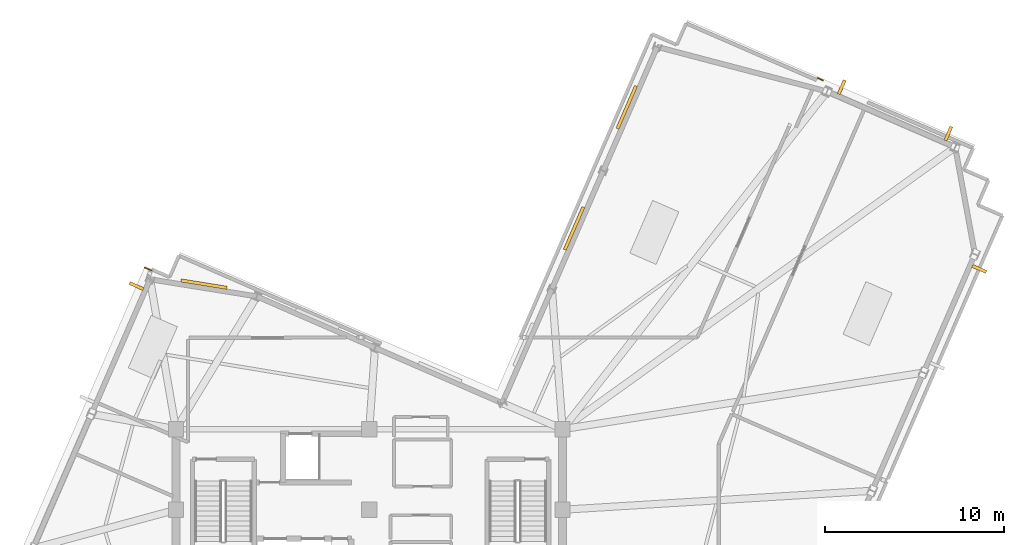
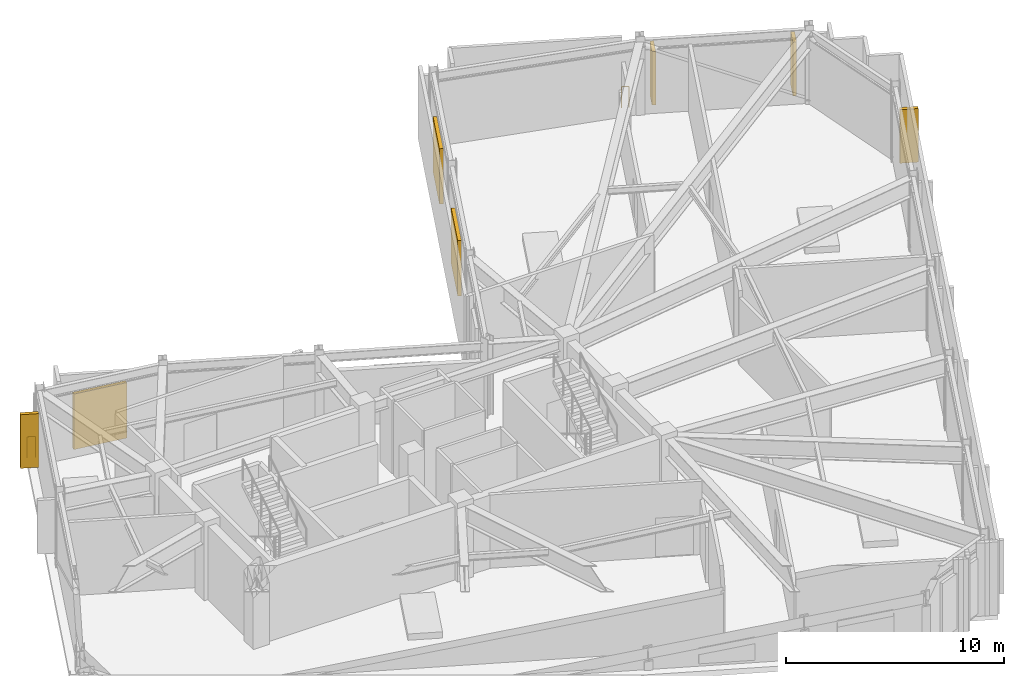
# One storey, part 11 of 11: 7 shading devices, 2 railings.
"""IFC4 building model written with IfcOpenShell, lengths in metres."""

from ifc_helpers import new_model, si_unit, direction, frame, origin, origin_2d, place, context, subcontext, project, spatial, rectangle, circle, extrude, material, layer, layer_set, type_object, element, save


model = new_model("IFC4")

# Units and contexts
model_context = context("Model", 3, precision=1e-05, world=origin(), true_north=direction((0.0, 1.0)))
body_context = subcontext(model_context, "Body", "Model", "MODEL_VIEW")
ifc_project = project(units=[si_unit("LENGTHUNIT", "METRE"), si_unit("AREAUNIT", "SQUARE_METRE"), si_unit("VOLUMEUNIT", "CUBIC_METRE"), si_unit("PLANEANGLEUNIT", "RADIAN"), si_unit("MASSUNIT", "GRAM", prefix="KILO")], contexts=[model_context])

# Site, building, storey
site_placement = place(None, origin())
site = spatial("IfcSite", under=ifc_project, at=site_placement, CompositionType="ELEMENT")
building_placement = place(site_placement, origin())
building = spatial("IfcBuilding", under=site, at=building_placement, Name="Gaonmaruhae Medical Tower", CompositionType="ELEMENT")
storey_placement = place(building_placement, frame((0.0, 0.0, 338.199951171875)))
storey = spatial("IfcBuildingStorey", under=building, at=storey_placement, Name="L81", CompositionType="ELEMENT", Elevation=338.199951171875)

# Railings
ifc_material_1 = material(Name="Stainless steel 316L and laminated safety glass", Category="steel")
ifc_layer = layer(ifc_material_1, 0.080078125)
ifc_layer_set = layer_set([ifc_layer], Name="Stainless steel 316L and laminated safety glass")
railing_type = type_object("IfcRailingType", Name="GD-120 Outdoor Terrace Safety Glass & Steel Balustrade", PredefinedType="BALUSTRADE", material=ifc_layer_set)
railing_1_placement = place(storey_placement, frame((50.146240234375, 36.284912109375, 0.0)))
element("IfcRailing", 1, at=railing_1_placement, inside=storey, type_object=railing_type, Name="L81 Perimeter Slab Edge Safety Balustrade 01", PredefinedType="BALUSTRADE", context=body_context, shape_type="SweptSolid", body=[
    extrude(circle(Radius=0.02392578125, at=origin_2d()), frame((0.0, 0.0, 1.17578125), z_axis=(-0.917081518132, 0.398699748056, 0.0), x_axis=(-0.398699748056, -0.917081518132, 0.0)), (0.0, 0.0, 1.0), 0.338623046875),
    extrude(circle(Radius=0.02099609375, at=origin_2d()), origin(), (0.0, 0.0, 1.0), 1.15185546875),
    extrude(circle(Radius=0.02099609375, at=origin_2d()), frame((-0.310546875, 0.135009765625, 0.0)), (0.0, 0.0, 1.0), 1.15185546875),
])
railing_2_placement = place(storey_placement, frame((12.619384765625, 25.66796875, 0.0)))
element("IfcRailing", 2, at=railing_2_placement, inside=storey, type_object=railing_type, Name="L81 Perimeter Slab Edge Safety Balustrade 02", PredefinedType="BALUSTRADE", context=body_context, shape_type="SweptSolid", body=[
    extrude(circle(Radius=0.02392578125, at=origin_2d()), frame((0.0, 0.0, 1.17578125), z_axis=(-0.917208125769, 0.398408401045, 0.0), x_axis=(-0.398408401045, -0.917208125769, 0.0)), (0.0, 0.0, 1.0), 0.393310546875),
    extrude(circle(Radius=0.02099609375, at=origin_2d()), origin(), (0.0, 0.0, 1.0), 1.15185546875),
    extrude(circle(Radius=0.02099609375, at=origin_2d()), frame((-0.36083984375, 0.15673828125, 0.0)), (0.0, 0.0, 1.0), 1.15185546875),
])

# Shading devices
ifc_material_2 = material(Name="Pigmented coral precast concrete C45/55", Category="concrete")
shading_device_type_1 = type_object("IfcShadingDeviceType", Name="SD-FIN1 Tower Vertical Coral Precast Shading Fin", PredefinedType="USERDEFINED", material=ifc_material_2)
for number, where, z_axis, x_axis, name in (
    (3, (58.87060546875, 25.752197265625, 0.29248046875), (0.0, 0.0, 1.0), (-0.398749068925, -0.917060074385, 0.0), "L81 Vertical Coral Precast Shading Fin S05"),
    (4, (51.18603515625, 35.903564453125, 0.29248046875), (0.0, 0.0, 1.0), (0.917060074385, -0.398749068925, 0.0), "L81 Vertical Coral Precast Shading Fin E01"),
    (5, (57.14697265625, 33.3115234375, 0.29248046875), (0.0, 0.0, 1.0), (0.917060074385, -0.398749068925, 0.0), "L81 Vertical Coral Precast Shading Fin E01B"),
    (6, (11.794189453125, 24.79443359375, 0.29248046875), (0.0, 0.0, 1.0), (0.398749068925, 0.917060074385, 0.0), "L81 Vertical Coral Precast Shading Fin N01B"),
):
    element("IfcShadingDevice", number, at=place(storey_placement, frame(where, z_axis=z_axis, x_axis=x_axis)), inside=storey, type_object=shading_device_type_1, Name=name, ObjectType="FIN", PredefinedType="USERDEFINED", context=body_context, shape_type="SweptSolid", body=[
        extrude(rectangle(XDim=0.179931640625, YDim=0.85009765625, at=origin_2d()), origin(), (0.0, 0.0, 1.0), 3.0),
    ])
ifc_material_3 = material(Name="Anodised aluminium louvre", Category="aluminium")
shading_device_type_2 = type_object("IfcShadingDeviceType", Name="SD-LVR1 Crown Acoustic Intake Aluminium Louvre", PredefinedType="USERDEFINED", material=ifc_material_3)
for number, where, z_axis, x_axis, name in (
    (7, (39.18115234375, 34.77685546875, 0.242431640625), (0.0, 0.0, 1.0), (0.398749068925, 0.917060074385, 0.0), "L81 Crown Mechanical Intake Louvre E03"),
    (8, (36.240478515625, 28.013671875, 0.242431640625), (0.0, 0.0, 1.0), (0.398749068925, 0.917060074385, 0.0), "L81 Crown Mechanical Intake Louvre EN01"),
    (9, (15.568115234375, 24.902099609375, 0.242431640625), (0.0, 0.0, 1.0), (0.987361305259, -0.158485497371, 0.0), "L81 Crown Mechanical Intake Louvre NE02"),
):
    element("IfcShadingDevice", number, at=place(storey_placement, frame(where, z_axis=z_axis, x_axis=x_axis)), inside=storey, type_object=shading_device_type_2, Name=name, ObjectType="LOUVRE", PredefinedType="USERDEFINED", context=body_context, shape_type="SweptSolid", body=[
        extrude(rectangle(XDim=2.60009765625, YDim=0.179931640625, at=origin_2d()), origin(), (0.0, 0.0, 1.0), 3.10009765625),
    ])

save(model, "model.ifc")
